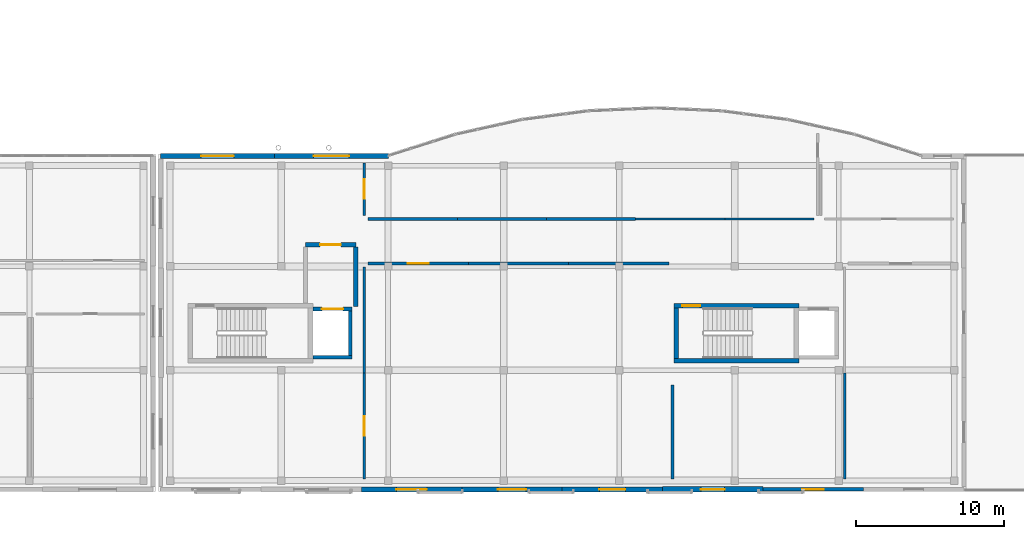
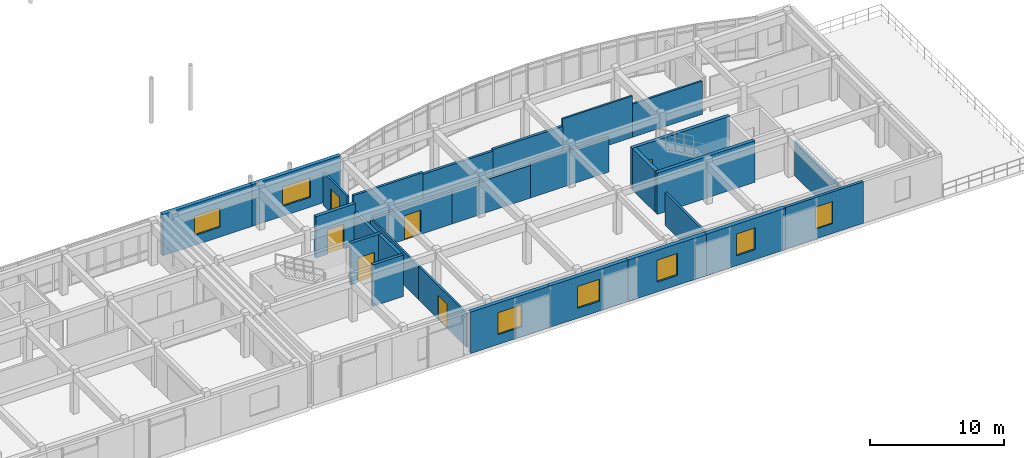
# One storey, part 79 of 91: 28 walls, 7 windows, 6 doors, 13 openings.
"""IFC4 building model written with IfcOpenShell, lengths in metres."""

from ifc_helpers import new_model, si_unit, direction, frame, frame_2d, origin, place, context, subcontext, project, spatial, rectangle, extrude, material, layer, layer_set, type_object, element, fill, save


model = new_model("IFC4")

# Units and contexts
model_context = context("Model", 3, precision=1e-05, world=origin(), true_north=direction((0.0, 1.0)))
body_context = subcontext(model_context, "Body", "Model", "MODEL_VIEW")
ifc_project = project(units=[si_unit("LENGTHUNIT", "METRE"), si_unit("AREAUNIT", "SQUARE_METRE"), si_unit("VOLUMEUNIT", "CUBIC_METRE"), si_unit("PLANEANGLEUNIT", "RADIAN"), si_unit("MASSUNIT", "GRAM", prefix="KILO")], contexts=[model_context])

# Site, building, storey
site_placement = place(None, origin())
site = spatial("IfcSite", under=ifc_project, at=site_placement, CompositionType="ELEMENT")
building_placement = place(site_placement, origin())
building = spatial("IfcBuilding", under=site, at=building_placement, Name="Valcora Specialist Clinic", CompositionType="ELEMENT")
storey_placement = place(building_placement, frame((0.0, 0.0, 13.60009765625)))
storey = spatial("IfcBuildingStorey", under=building, at=storey_placement, Name="L03", CompositionType="ELEMENT", Elevation=13.60009765625)

# Wall, opening, door
ifc_material_1 = material(Name="Concrete C40/50", Category="concrete")
ifc_layer_1 = layer(ifc_material_1, 0.284912109375)
ifc_layer_set_1 = layer_set([ifc_layer_1], Name="Concrete C40/50")
wall_type_1 = type_object("IfcWallType", Name="TY-WL-CR285", PredefinedType="SHEAR", material=ifc_layer_set_1)
wall_1_placement = place(storey_placement, frame((63.419921875, 16.659912109375, 0.0), z_axis=(0.0, 0.0, 1.0), x_axis=(1.0, 0.0, 0.0)))
wall_1 = element("IfcWall", 1, at=wall_1_placement, inside=storey, type_object=wall_type_1, Name="Firefighting lobby front wall WL-FFL-LF-07-L03-F", PredefinedType="SHEAR", context=body_context, shape_type="SweptSolid", body=[
    extrude(rectangle(XDim=3.400146484375, YDim=0.284912109375, at=frame_2d((1.7001953125, 0.0))), origin(), (0.0, 0.0, 1.0), 3.77978515625),
])
opening_1_placement = place(wall_1_placement, frame((1.0, 0.0, 0.0)))
opening_1 = element("IfcOpeningElement", 2, at=opening_1_placement, cuts=wall_1, Name="Opening DR-FF-140", PredefinedType="OPENING", context=body_context, shape_type="SweptSolid", body=[
    extrude(rectangle(XDim=1.39990234375, YDim=2.25, at=frame_2d((0.699951171875, 1.125))), frame((0.0, 0.15234375, 0.0), z_axis=(0.0, -1.0, 0.0), x_axis=(1.0, 0.0, 0.0)), (0.0, 0.0, 1.0), 0.304931640625),
])
ifc_material_2 = material(Name="Galvanized Hollow Metal Door Steel ASTM A653", Category="steel")
door_type_1 = type_object("IfcDoorType", Name="TY-DR-FF140", OperationType="NOTDEFINED", PredefinedType="DOOR", material=ifc_material_2)
door_1_placement = place(opening_1_placement, origin())
door_1 = element("IfcDoor", 3, at=door_1_placement, inside=storey, type_object=door_type_1, Name="Firefighting lobby fire door LF-07 L03", OperationType="SINGLE_SWING_RIGHT", OverallHeight=2.25, OverallWidth=1.39990234375, PredefinedType="DOOR", context=body_context, shape_type="SweptSolid", body=[
    extrude(rectangle(XDim=1.39990234375, YDim=2.25, at=frame_2d((0.699951171875, 1.125))), frame((0.0, 0.02490234375, 0.0), z_axis=(0.0, -1.0, 0.0), x_axis=(1.0, 0.0, 0.0)), (0.0, 0.0, 1.0), 0.050048828125),
])
fill(opening_1, door_1)

# Walls
wall_2_placement = place(storey_placement, frame((66.820068359375, 12.47998046875, 0.0), z_axis=(0.0, 0.0, 1.0), x_axis=(0.0, 1.0, 0.0)))
element("IfcWall", 4, at=wall_2_placement, inside=storey, type_object=wall_type_1, Name="Firefighting lobby east wall", PredefinedType="SHEAR", context=body_context, shape_type="SweptSolid", body=[
    extrude(rectangle(XDim=4.030029296875, YDim=0.284912109375, at=frame_2d((2.01513671875, 0.0))), origin(), (0.0, 0.0, 1.0), 3.02978515625),
])
ifc_layer_2 = layer(ifc_material_1, 0.300048828125)
ifc_layer_set_2 = layer_set([ifc_layer_2], Name="Concrete C40/50")
wall_type_2 = type_object("IfcWallType", Name="TY-WL-CR300", PredefinedType="SHEAR", material=ifc_layer_set_2)
wall_3_placement = place(storey_placement, frame((88.300048828125, 8.85009765625, 0.0), z_axis=(0.0, 0.0, 1.0), x_axis=(1.0, 0.0, 0.0)))
element("IfcWall", 5, at=wall_3_placement, inside=storey, type_object=wall_type_2, Name="Core shear wall WL-CR-C-V6B-L03-S", PredefinedType="SHEAR", context=body_context, shape_type="SweptSolid", body=[
    extrude(rectangle(XDim=8.419921875, YDim=0.300048828125, at=frame_2d((4.2099609375, 0.0))), origin(), (0.0, 0.0, 1.0), 3.77978515625),
])

# Wall, opening, door
wall_4_placement = place(storey_placement, frame((88.300048828125, 12.550048828125, 0.0), z_axis=(0.0, 0.0, 1.0), x_axis=(1.0, 0.0, 0.0)))
wall_4 = element("IfcWall", 6, at=wall_4_placement, inside=storey, type_object=wall_type_2, Name="Core shear wall WL-CR-C-V6B-L03-N", PredefinedType="SHEAR", context=body_context, shape_type="SweptSolid", body=[
    extrude(rectangle(XDim=8.419921875, YDim=0.300048828125, at=frame_2d((4.2099609375, 0.0))), origin(), (0.0, 0.0, 1.0), 3.77978515625),
])
opening_2_placement = place(wall_4_placement, frame((0.550048828125, 0.0, 0.0)))
opening_2 = element("IfcOpeningElement", 7, at=opening_2_placement, cuts=wall_4, Name="Opening DR-FD-120", PredefinedType="OPENING", context=body_context, shape_type="SweptSolid", body=[
    extrude(rectangle(XDim=1.199951171875, YDim=2.199951171875, at=frame_2d((0.60009765625, 1.10009765625))), frame((0.0, 0.159912109375, 0.0), z_axis=(0.0, -1.0, 0.0), x_axis=(1.0, 0.0, 0.0)), (0.0, 0.0, 1.0), 0.320068359375),
])
door_type_2 = type_object("IfcDoorType", Name="TY-DR-ST120", OperationType="NOTDEFINED", PredefinedType="DOOR", material=ifc_material_2)
door_2_placement = place(opening_2_placement, origin())
door_2 = element("IfcDoor", 8, at=door_2_placement, inside=storey, type_object=door_type_2, Name="Exit stair fire door C-V6B L03", OperationType="SINGLE_SWING_LEFT", OverallHeight=2.199951171875, OverallWidth=1.199951171875, PredefinedType="DOOR", context=body_context, shape_type="SweptSolid", body=[
    extrude(rectangle(XDim=1.199951171875, YDim=2.199951171875, at=frame_2d((0.60009765625, 1.10009765625))), frame((0.0, 0.02490234375, 0.0), z_axis=(0.0, -1.0, 0.0), x_axis=(1.0, 0.0, 0.0)), (0.0, 0.0, 1.0), 0.050048828125),
])
fill(opening_2, door_2)

# Wall
wall_5_placement = place(storey_placement, frame((88.449951171875, 9.001953125, 0.0), z_axis=(0.0, 0.0, 1.0), x_axis=(0.0, 1.0, 0.0)))
element("IfcWall", 9, at=wall_5_placement, inside=storey, type_object=wall_type_2, Name="Core shear wall WL-CR-C-V6B-L03-W", PredefinedType="SHEAR", context=body_context, shape_type="SweptSolid", body=[
    extrude(rectangle(XDim=3.39599609375, YDim=0.300048828125, at=frame_2d((1.697998046875, 0.0))), origin(), (0.0, 0.0, 1.0), 3.77978515625),
])

# Wall, opening, window
ifc_material_3 = material(Name="Extruded Jalisco Clay Brick Masonry", Category="masonry")
ifc_layer_3 = layer(ifc_material_3, 0.235107421875)
ifc_layer_set_3 = layer_set([ifc_layer_3], Name="Extruded Jalisco Clay Brick Masonry")
wall_type_3 = type_object("IfcWallType", Name="TY-WL-EW235", PredefinedType="SOLIDWALL", material=ifc_layer_set_3)
wall_6_placement = place(storey_placement, frame((101.074951171875, 0.14990234375, 0.0), z_axis=(0.0, 0.0, 1.0), x_axis=(-1.0, 0.0, 0.0)))
wall_6 = element("IfcWall", 10, at=wall_6_placement, inside=storey, type_object=wall_type_3, Name="Exterior wall WL-EXT-L03-0370", PredefinedType="SOLIDWALL", context=body_context, shape_type="SweptSolid", body=[
    extrude(rectangle(XDim=6.77490234375, YDim=0.235107421875, at=frame_2d((3.387451171875, 0.0))), origin(), (0.0, 0.0, 1.0), 3.77978515625),
])
opening_3_placement = place(wall_6_placement, frame((2.6630859375, 0.0, 0.89990234375)))
opening_3 = element("IfcOpeningElement", 11, at=opening_3_placement, cuts=wall_6, Name="Opening WN-23", PredefinedType="OPENING", context=body_context, shape_type="SweptSolid", body=[
    extrude(rectangle(XDim=1.449951171875, YDim=2.0, at=frame_2d((0.72509765625, 1.0))), frame((0.0, 0.12744140625, 0.0), z_axis=(0.0, -1.0, 0.0), x_axis=(1.0, 0.0, 0.0)), (0.0, 0.0, 1.0), 0.255126953125),
])
ifc_material_4 = material(Name="Low-E Laminated Insulating Glass", Category="glass")
window_type_1 = type_object("IfcWindowType", Name="TY-WN-23", PartitioningType="SINGLE_PANEL", PredefinedType="WINDOW", material=ifc_material_4)
window_1_placement = place(opening_3_placement, origin())
window_1 = element("IfcWindow", 12, at=window_1_placement, inside=storey, type_object=window_type_1, Name="Facade window WN-L03-0317", OverallHeight=2.0, OverallWidth=1.449951171875, PartitioningType="SINGLE_PANEL", PredefinedType="WINDOW", context=body_context, shape_type="SweptSolid", body=[
    extrude(rectangle(XDim=1.449951171875, YDim=2.0, at=frame_2d((0.72509765625, 1.0))), frame((0.0, 0.030029296875, 0.0), z_axis=(0.0, -1.0, 0.0), x_axis=(1.0, 0.0, 0.0)), (0.0, 0.0, 1.0), 0.06005859375),
])
fill(opening_3, window_1)

ifc_layer_4 = layer(ifc_material_3, 0.324951171875)
ifc_layer_set_4 = layer_set([ifc_layer_4], Name="Extruded Jalisco Clay Brick Masonry")
wall_type_4 = type_object("IfcWallType", Name="TY-WL-EW325", PredefinedType="SOLIDWALL", material=ifc_layer_set_4)
wall_7_placement = place(storey_placement, frame((61.336669921875, 22.64990234375, 0.0), z_axis=(0.0, 0.0, 1.0), x_axis=(1.0, 0.0, 0.0)))
wall_7 = element("IfcWall", 13, at=wall_7_placement, inside=storey, type_object=wall_type_4, Name="Exterior wall WL-EXT-L03-0364", PredefinedType="SOLIDWALL", context=body_context, shape_type="SweptSolid", body=[
    extrude(rectangle(XDim=7.6865234375, YDim=0.324951171875, at=frame_2d((3.84326171875, 0.0))), origin(), (0.0, 0.0, 1.0), 3.77978515625),
])
opening_4_placement = place(wall_7_placement, frame((2.64306640625, 0.0, 0.89990234375)))
opening_4 = element("IfcOpeningElement", 14, at=opening_4_placement, cuts=wall_7, Name="Opening WN-20", PredefinedType="OPENING", context=body_context, shape_type="SweptSolid", body=[
    extrude(rectangle(XDim=2.39990234375, YDim=1.75, at=frame_2d((1.199951171875, 0.875))), frame((0.0, 0.17236328125, 0.0), z_axis=(0.0, -1.0, 0.0), x_axis=(1.0, 0.0, 0.0)), (0.0, 0.0, 1.0), 0.344970703125),
])
window_type_2 = type_object("IfcWindowType", Name="TY-WN-20", PartitioningType="SINGLE_PANEL", PredefinedType="WINDOW", material=ifc_material_4)
window_2_placement = place(opening_4_placement, origin())
window_2 = element("IfcWindow", 15, at=window_2_placement, inside=storey, type_object=window_type_2, Name="Facade window WN-L03-0314", OverallHeight=1.75, OverallWidth=2.39990234375, PartitioningType="SINGLE_PANEL", PredefinedType="WINDOW", context=body_context, shape_type="SweptSolid", body=[
    extrude(rectangle(XDim=2.39990234375, YDim=1.75, at=frame_2d((1.199951171875, 0.875))), frame((0.0, 0.030029296875, 0.0), z_axis=(0.0, -1.0, 0.0), x_axis=(1.0, 0.0, 0.0)), (0.0, 0.0, 1.0), 0.06005859375),
])
fill(opening_4, window_2)

wall_8_placement = place(storey_placement, frame((73.97509765625, 0.14990234375, 0.0), z_axis=(0.0, 0.0, 1.0), x_axis=(-1.0, 0.0, 0.0)))
wall_8 = element("IfcWall", 16, at=wall_8_placement, inside=storey, type_object=wall_type_4, Name="Exterior wall WL-EXT-L03-0374", PredefinedType="SOLIDWALL", context=body_context, shape_type="SweptSolid", body=[
    extrude(rectangle(XDim=6.775146484375, YDim=0.324951171875, at=frame_2d((3.3876953125, 0.0))), origin(), (0.0, 0.0, 1.0), 3.77978515625),
])
opening_5_placement = place(wall_8_placement, frame((2.362060546875, 0.0, 0.89990234375)))
opening_5 = element("IfcOpeningElement", 17, at=opening_5_placement, cuts=wall_8, Name="Opening WN-27", PredefinedType="OPENING", context=body_context, shape_type="SweptSolid", body=[
    extrude(rectangle(XDim=2.050048828125, YDim=2.0, at=frame_2d((1.02490234375, 1.0))), frame((0.0, 0.17236328125, 0.0), z_axis=(0.0, -1.0, 0.0), x_axis=(1.0, 0.0, 0.0)), (0.0, 0.0, 1.0), 0.344970703125),
])
window_type_3 = type_object("IfcWindowType", Name="TY-WN-27", PartitioningType="SINGLE_PANEL", PredefinedType="WINDOW", material=ifc_material_4)
window_3_placement = place(opening_5_placement, origin())
window_3 = element("IfcWindow", 18, at=window_3_placement, inside=storey, type_object=window_type_3, Name="Facade window WN-L03-0321", OverallHeight=2.0, OverallWidth=2.050048828125, PartitioningType="SINGLE_PANEL", PredefinedType="WINDOW", context=body_context, shape_type="SweptSolid", body=[
    extrude(rectangle(XDim=2.050048828125, YDim=2.0, at=frame_2d((1.02490234375, 1.0))), frame((0.0, 0.030029296875, 0.0), z_axis=(0.0, -1.0, 0.0), x_axis=(1.0, 0.0, 0.0)), (0.0, 0.0, 1.0), 0.06005859375),
])
fill(opening_5, window_3)

ifc_layer_5 = layer(ifc_material_3, 0.340087890625)
ifc_layer_set_5 = layer_set([ifc_layer_5], Name="Extruded Jalisco Clay Brick Masonry")
wall_type_5 = type_object("IfcWallType", Name="TY-WL-EW340", PredefinedType="SOLIDWALL", material=ifc_layer_set_5)
wall_9_placement = place(storey_placement, frame((53.64990234375, 22.64990234375, 0.0), z_axis=(0.0, 0.0, 1.0), x_axis=(1.0, 0.0, 0.0)))
wall_9 = element("IfcWall", 19, at=wall_9_placement, inside=storey, type_object=wall_type_5, Name="Exterior wall WL-EXT-L03-0363", PredefinedType="SOLIDWALL", context=body_context, shape_type="SweptSolid", body=[
    extrude(rectangle(XDim=7.686767578125, YDim=0.340087890625, at=frame_2d((3.84326171875, 0.0))), origin(), (0.0, 0.0, 1.0), 3.77978515625),
])
opening_6_placement = place(wall_9_placement, frame((2.742919921875, 0.0, 0.89990234375)))
opening_6 = element("IfcOpeningElement", 20, at=opening_6_placement, cuts=wall_9, Name="Opening WN-19", PredefinedType="OPENING", context=body_context, shape_type="SweptSolid", body=[
    extrude(rectangle(XDim=2.199951171875, YDim=1.75, at=frame_2d((1.10009765625, 0.875))), frame((0.0, 0.179931640625, 0.0), z_axis=(0.0, -1.0, 0.0), x_axis=(1.0, 0.0, 0.0)), (0.0, 0.0, 1.0), 0.360107421875),
])
window_type_4 = type_object("IfcWindowType", Name="TY-WN-19", PartitioningType="SINGLE_PANEL", PredefinedType="WINDOW", material=ifc_material_4)
window_4_placement = place(opening_6_placement, origin())
window_4 = element("IfcWindow", 21, at=window_4_placement, inside=storey, type_object=window_type_4, Name="Facade window WN-L03-0313", OverallHeight=1.75, OverallWidth=2.199951171875, PartitioningType="SINGLE_PANEL", PredefinedType="WINDOW", context=body_context, shape_type="SweptSolid", body=[
    extrude(rectangle(XDim=2.199951171875, YDim=1.75, at=frame_2d((1.10009765625, 0.875))), frame((0.0, 0.030029296875, 0.0), z_axis=(0.0, -1.0, 0.0), x_axis=(1.0, 0.0, 0.0)), (0.0, 0.0, 1.0), 0.06005859375),
])
fill(opening_6, window_4)

wall_10_placement = place(storey_placement, frame((80.75, 0.14990234375, 0.0), z_axis=(0.0, 0.0, 1.0), x_axis=(-1.0, 0.0, 0.0)))
wall_10 = element("IfcWall", 22, at=wall_10_placement, inside=storey, type_object=wall_type_5, Name="Exterior wall WL-EXT-L03-0373", PredefinedType="SOLIDWALL", context=body_context, shape_type="SweptSolid", body=[
    extrude(rectangle(XDim=6.77490234375, YDim=0.340087890625, at=frame_2d((3.387451171875, 0.0))), origin(), (0.0, 0.0, 1.0), 3.77978515625),
])
opening_7_placement = place(wall_10_placement, frame((2.43798828125, 0.0, 0.89990234375)))
opening_7 = element("IfcOpeningElement", 23, at=opening_7_placement, cuts=wall_10, Name="Opening WN-26", PredefinedType="OPENING", context=body_context, shape_type="SweptSolid", body=[
    extrude(rectangle(XDim=1.89990234375, YDim=2.0, at=frame_2d((0.949951171875, 1.0))), frame((0.0, 0.179931640625, 0.0), z_axis=(0.0, -1.0, 0.0), x_axis=(1.0, 0.0, 0.0)), (0.0, 0.0, 1.0), 0.360107421875),
])
window_type_5 = type_object("IfcWindowType", Name="TY-WN-26", PartitioningType="SINGLE_PANEL", PredefinedType="WINDOW", material=ifc_material_4)
window_5_placement = place(opening_7_placement, origin())
window_5 = element("IfcWindow", 24, at=window_5_placement, inside=storey, type_object=window_type_5, Name="Facade window WN-L03-0320", OverallHeight=2.0, OverallWidth=1.89990234375, PartitioningType="SINGLE_PANEL", PredefinedType="WINDOW", context=body_context, shape_type="SweptSolid", body=[
    extrude(rectangle(XDim=1.89990234375, YDim=2.0, at=frame_2d((0.949951171875, 1.0))), frame((0.0, 0.030029296875, 0.0), z_axis=(0.0, -1.0, 0.0), x_axis=(1.0, 0.0, 0.0)), (0.0, 0.0, 1.0), 0.06005859375),
])
fill(opening_7, window_5)

ifc_layer_6 = layer(ifc_material_3, 0.35498046875)
ifc_layer_set_6 = layer_set([ifc_layer_6], Name="Extruded Jalisco Clay Brick Masonry")
wall_type_6 = type_object("IfcWallType", Name="TY-WL-EW355", PredefinedType="SOLIDWALL", material=ifc_layer_set_6)
wall_11_placement = place(storey_placement, frame((87.52490234375, 0.14990234375, 0.0), z_axis=(0.0, 0.0, 1.0), x_axis=(-1.0, 0.0, 0.0)))
wall_11 = element("IfcWall", 25, at=wall_11_placement, inside=storey, type_object=wall_type_6, Name="Exterior wall WL-EXT-L03-0372", PredefinedType="SOLIDWALL", context=body_context, shape_type="SweptSolid", body=[
    extrude(rectangle(XDim=6.77490234375, YDim=0.35498046875, at=frame_2d((3.387451171875, 0.0))), origin(), (0.0, 0.0, 1.0), 3.77978515625),
])
opening_8_placement = place(wall_11_placement, frame((2.512939453125, 0.0, 0.89990234375)))
opening_8 = element("IfcOpeningElement", 26, at=opening_8_placement, cuts=wall_11, Name="Opening WN-25", PredefinedType="OPENING", context=body_context, shape_type="SweptSolid", body=[
    extrude(rectangle(XDim=1.75, YDim=2.0, at=frame_2d((0.875, 1.0))), frame((0.0, 0.1875, 0.0), z_axis=(0.0, -1.0, 0.0), x_axis=(1.0, 0.0, 0.0)), (0.0, 0.0, 1.0), 0.375),
])
window_type_6 = type_object("IfcWindowType", Name="TY-WN-25", PartitioningType="SINGLE_PANEL", PredefinedType="WINDOW", material=ifc_material_4)
window_6_placement = place(opening_8_placement, origin())
window_6 = element("IfcWindow", 27, at=window_6_placement, inside=storey, type_object=window_type_6, Name="Facade window WN-L03-0319", OverallHeight=2.0, OverallWidth=1.75, PartitioningType="SINGLE_PANEL", PredefinedType="WINDOW", context=body_context, shape_type="SweptSolid", body=[
    extrude(rectangle(XDim=1.75, YDim=2.0, at=frame_2d((0.875, 1.0))), frame((0.0, 0.030029296875, 0.0), z_axis=(0.0, -1.0, 0.0), x_axis=(1.0, 0.0, 0.0)), (0.0, 0.0, 1.0), 0.06005859375),
])
fill(opening_8, window_6)

ifc_layer_7 = layer(ifc_material_3, 0.3701171875)
ifc_layer_set_7 = layer_set([ifc_layer_7], Name="Extruded Jalisco Clay Brick Masonry")
wall_type_7 = type_object("IfcWallType", Name="TY-WL-EW370", PredefinedType="SOLIDWALL", material=ifc_layer_set_7)
wall_12_placement = place(storey_placement, frame((94.300048828125, 0.14990234375, 0.0), z_axis=(0.0, 0.0, 1.0), x_axis=(-1.0, 0.0, 0.0)))
wall_12 = element("IfcWall", 28, at=wall_12_placement, inside=storey, type_object=wall_type_7, Name="Exterior wall WL-EXT-L03-0371", PredefinedType="SOLIDWALL", context=body_context, shape_type="SweptSolid", body=[
    extrude(rectangle(XDim=6.775146484375, YDim=0.3701171875, at=frame_2d((3.3876953125, 0.0))), origin(), (0.0, 0.0, 1.0), 3.77978515625),
])
opening_9_placement = place(wall_12_placement, frame((2.5869140625, 0.0, 0.89990234375)))
opening_9 = element("IfcOpeningElement", 29, at=opening_9_placement, cuts=wall_12, Name="Opening WN-24", PredefinedType="OPENING", context=body_context, shape_type="SweptSolid", body=[
    extrude(rectangle(XDim=1.60009765625, YDim=2.0, at=frame_2d((0.800048828125, 1.0))), frame((0.0, 0.195068359375, 0.0), z_axis=(0.0, -1.0, 0.0), x_axis=(1.0, 0.0, 0.0)), (0.0, 0.0, 1.0), 0.39013671875),
])
window_type_7 = type_object("IfcWindowType", Name="TY-WN-24", PartitioningType="SINGLE_PANEL", PredefinedType="WINDOW", material=ifc_material_4)
window_7_placement = place(opening_9_placement, origin())
window_7 = element("IfcWindow", 30, at=window_7_placement, inside=storey, type_object=window_type_7, Name="Facade window WN-L03-0318", OverallHeight=2.0, OverallWidth=1.60009765625, PartitioningType="SINGLE_PANEL", PredefinedType="WINDOW", context=body_context, shape_type="SweptSolid", body=[
    extrude(rectangle(XDim=1.60009765625, YDim=2.0, at=frame_2d((0.800048828125, 1.0))), frame((0.0, 0.030029296875, 0.0), z_axis=(0.0, -1.0, 0.0), x_axis=(1.0, 0.0, 0.0)), (0.0, 0.0, 1.0), 0.06005859375),
])
fill(opening_9, window_7)

# Walls
ifc_material_5 = material(Name="Gypsum Board Partition Assembly")
ifc_layer_8 = layer(ifc_material_5, 0.155029296875)
ifc_layer_set_8 = layer_set([ifc_layer_8], Name="Gypsum Board Partition Assembly")
wall_type_8 = type_object("IfcWallType", Name="TY-WL-PT155", PredefinedType="PARTITIONING", material=ifc_layer_set_8)
wall_13_placement = place(storey_placement, frame((67.39990234375, 8.0, 0.0), z_axis=(0.0, 0.0, 1.0), x_axis=(0.0, 1.0, 0.0)))
element("IfcWall", 31, at=wall_13_placement, inside=storey, type_object=wall_type_8, Name="Interior partition WL-INT-L03-0439", PredefinedType="PARTITIONING", context=body_context, shape_type="SweptSolid", body=[
    extrude(rectangle(XDim=7.14990234375, YDim=0.155029296875, at=frame_2d((3.574951171875, 0.0))), origin(), (0.0, 0.0, 1.0), 3.02978515625),
])
wall_14_placement = place(storey_placement, frame((91.72998046875, 18.39990234375, 0.0), z_axis=(0.0, 0.0, 1.0), x_axis=(-1.0, 0.0, 0.0)))
element("IfcWall", 32, at=wall_14_placement, inside=storey, type_object=wall_type_8, Name="Interior partition WL-INT-L03-0447", PredefinedType="PARTITIONING", context=body_context, shape_type="SweptSolid", body=[
    extrude(rectangle(XDim=6.02001953125, YDim=0.155029296875, at=frame_2d((3.010009765625, 0.0))), origin(), (0.0, 0.0, 1.0), 3.77978515625),
])

# Wall, opening, door
ifc_layer_9 = layer(ifc_material_5, 0.1650390625)
ifc_layer_set_9 = layer_set([ifc_layer_9], Name="Gypsum Board Partition Assembly")
wall_type_9 = type_object("IfcWallType", Name="TY-WL-PT165", PredefinedType="PARTITIONING", material=ifc_layer_set_9)
wall_15_placement = place(storey_placement, frame((67.39990234375, 0.85009765625, 0.0), z_axis=(0.0, 0.0, 1.0), x_axis=(0.0, 1.0, 0.0)))
wall_15 = element("IfcWall", 33, at=wall_15_placement, inside=storey, type_object=wall_type_9, Name="Interior partition WL-INT-L03-0438", PredefinedType="PARTITIONING", context=body_context, shape_type="SweptSolid", body=[
    extrude(rectangle(XDim=7.14990234375, YDim=0.1650390625, at=frame_2d((3.574951171875, 0.0))), origin(), (0.0, 0.0, 1.0), 3.079833984375),
])
opening_10_placement = place(wall_15_placement, frame((2.9150390625, 0.0, 0.0)))
opening_10 = element("IfcOpeningElement", 34, at=opening_10_placement, cuts=wall_15, Name="Opening DR-LB-132", PredefinedType="OPENING", context=body_context, shape_type="SweptSolid", body=[
    extrude(rectangle(XDim=1.320068359375, YDim=2.199951171875, at=frame_2d((0.66015625, 1.10009765625))), frame((0.0, 0.092529296875, 0.0), z_axis=(0.0, -1.0, 0.0), x_axis=(1.0, 0.0, 0.0)), (0.0, 0.0, 1.0), 0.18505859375),
])
ifc_material_6 = material(Name="Anodized Bronze Aluminium 6063-T6", Category="aluminium")
door_type_3 = type_object("IfcDoorType", Name="TY-DR-LB132", OperationType="NOTDEFINED", PredefinedType="DOOR", material=ifc_material_6)
door_3_placement = place(opening_10_placement, origin())
door_3 = element("IfcDoor", 35, at=door_3_placement, inside=storey, type_object=door_type_3, Name="Interior door DR-INT-L03-0122", OperationType="SINGLE_SWING_RIGHT", OverallHeight=2.199951171875, OverallWidth=1.320068359375, PredefinedType="DOOR", context=body_context, shape_type="SweptSolid", body=[
    extrude(rectangle(XDim=1.320068359375, YDim=2.199951171875, at=frame_2d((0.66015625, 1.10009765625))), frame((0.0, 0.02490234375, 0.0), z_axis=(0.0, -1.0, 0.0), x_axis=(1.0, 0.0, 0.0)), (0.0, 0.0, 1.0), 0.050048828125),
])
fill(opening_10, door_3)

# Walls
wall_16_placement = place(storey_placement, frame((97.75, 18.39990234375, 0.0), z_axis=(0.0, 0.0, 1.0), x_axis=(-1.0, 0.0, 0.0)))
element("IfcWall", 36, at=wall_16_placement, inside=storey, type_object=wall_type_9, Name="Interior partition WL-INT-L03-0446", PredefinedType="PARTITIONING", context=body_context, shape_type="SweptSolid", body=[
    extrude(rectangle(XDim=6.02001953125, YDim=0.1650390625, at=frame_2d((3.010009765625, 0.0))), origin(), (0.0, 0.0, 1.0), 3.02978515625),
])
wall_17_placement = place(storey_placement, frame((99.800048828125, 0.85009765625, 0.0), z_axis=(0.0, 0.0, 1.0), x_axis=(0.0, 1.0, 0.0)))
element("IfcWall", 37, at=wall_17_placement, inside=storey, type_object=wall_type_9, Name="Interior partition WL-INT-L03-0454", PredefinedType="PARTITIONING", context=body_context, shape_type="SweptSolid", body=[
    extrude(rectangle(XDim=7.14990234375, YDim=0.1650390625, at=frame_2d((3.574951171875, 0.0))), origin(), (0.0, 0.0, 1.0), 3.1298828125),
])

# Wall, opening, door
ifc_layer_10 = layer(ifc_material_5, 0.18505859375)
ifc_layer_set_10 = layer_set([ifc_layer_10], Name="Gypsum Board Partition Assembly")
wall_type_10 = type_object("IfcWallType", Name="TY-WL-PT185", PredefinedType="PARTITIONING", material=ifc_layer_set_10)
wall_18_placement = place(storey_placement, frame((67.39990234375, 18.64990234375, 0.0), z_axis=(0.0, 0.0, 1.0), x_axis=(0.0, 1.0, 0.0)))
wall_18 = element("IfcWall", 38, at=wall_18_placement, inside=storey, type_object=wall_type_10, Name="Interior partition WL-INT-L03-0444", PredefinedType="PARTITIONING", context=body_context, shape_type="SweptSolid", body=[
    extrude(rectangle(XDim=3.5400390625, YDim=0.18505859375, at=frame_2d((1.77001953125, 0.0))), origin(), (0.0, 0.0, 1.0), 2.97998046875),
])
opening_11_placement = place(wall_18_placement, frame((1.110107421875, 0.0, 0.0)))
opening_11 = element("IfcOpeningElement", 39, at=opening_11_placement, cuts=wall_18, Name="Opening DR-LB-132", PredefinedType="OPENING", context=body_context, shape_type="SweptSolid", body=[
    extrude(rectangle(XDim=1.320068359375, YDim=2.199951171875, at=frame_2d((0.66015625, 1.10009765625))), frame((0.0, 0.1025390625, 0.0), z_axis=(0.0, -1.0, 0.0), x_axis=(1.0, 0.0, 0.0)), (0.0, 0.0, 1.0), 0.205078125),
])
door_4_placement = place(opening_11_placement, origin())
door_4 = element("IfcDoor", 40, at=door_4_placement, inside=storey, type_object=door_type_3, Name="Interior door DR-INT-L03-0124", OperationType="SINGLE_SWING_RIGHT", OverallHeight=2.199951171875, OverallWidth=1.320068359375, PredefinedType="DOOR", context=body_context, shape_type="SweptSolid", body=[
    extrude(rectangle(XDim=1.320068359375, YDim=2.199951171875, at=frame_2d((0.66015625, 1.10009765625))), frame((0.0, 0.02490234375, 0.0), z_axis=(0.0, -1.0, 0.0), x_axis=(1.0, 0.0, 0.0)), (0.0, 0.0, 1.0), 0.050048828125),
])
fill(opening_11, door_4)

# Walls
ifc_layer_11 = layer(ifc_material_5, 0.195068359375)
ifc_layer_set_11 = layer_set([ifc_layer_11], Name="Gypsum Board Partition Assembly")
wall_type_11 = type_object("IfcWallType", Name="TY-WL-PT195", PredefinedType="PARTITIONING", material=ifc_layer_set_11)
wall_19_placement = place(storey_placement, frame((88.199951171875, 7.199951171875, 0.0), z_axis=(0.0, 0.0, 1.0), x_axis=(0.0, -1.0, 0.0)))
element("IfcWall", 41, at=wall_19_placement, inside=storey, type_object=wall_type_11, Name="Interior partition WL-INT-L03-0443", PredefinedType="PARTITIONING", context=body_context, shape_type="SweptSolid", body=[
    extrude(rectangle(XDim=6.349853515625, YDim=0.195068359375, at=frame_2d((3.1748046875, 0.0))), origin(), (0.0, 0.0, 1.0), 2.97998046875),
])
ifc_material_7 = material(Name="Lead-Lined Gypsum Partition Assembly")
ifc_layer_12 = layer(ifc_material_7, 0.205078125)
ifc_layer_set_12 = layer_set([ifc_layer_12], Name="Lead-Lined Gypsum Partition Assembly")
wall_type_12 = type_object("IfcWallType", Name="TY-WL-PT205", PredefinedType="PARTITIONING", material=ifc_layer_set_12)
wall_20_placement = place(storey_placement, frame((81.18310546875, 15.39990234375, 0.0), z_axis=(0.0, 0.0, 1.0), x_axis=(1.0, 0.0, 0.0)))
element("IfcWall", 42, at=wall_20_placement, inside=storey, type_object=wall_type_12, Name="Interior partition WL-INT-L03-0442", PredefinedType="PARTITIONING", context=body_context, shape_type="SweptSolid", body=[
    extrude(rectangle(XDim=6.766845703125, YDim=0.205078125, at=frame_2d((3.38330078125, 0.0))), origin(), (0.0, 0.0, 1.0), 3.1298828125),
])
wall_21_placement = place(storey_placement, frame((73.669921875, 18.39990234375, 0.0), z_axis=(0.0, 0.0, 1.0), x_axis=(-1.0, 0.0, 0.0)))
element("IfcWall", 43, at=wall_21_placement, inside=storey, type_object=wall_type_12, Name="Interior partition WL-INT-L03-0450", PredefinedType="PARTITIONING", context=body_context, shape_type="SweptSolid", body=[
    extrude(rectangle(XDim=6.02001953125, YDim=0.205078125, at=frame_2d((3.010009765625, 0.0))), origin(), (0.0, 0.0, 1.0), 3.1298828125),
])
ifc_layer_13 = layer(ifc_material_7, 0.215087890625)
ifc_layer_set_13 = layer_set([ifc_layer_13], Name="Lead-Lined Gypsum Partition Assembly")
wall_type_13 = type_object("IfcWallType", Name="TY-WL-PT215", PredefinedType="PARTITIONING", material=ifc_layer_set_13)
wall_22_placement = place(storey_placement, frame((74.4169921875, 15.39990234375, 0.0), z_axis=(0.0, 0.0, 1.0), x_axis=(1.0, 0.0, 0.0)))
element("IfcWall", 44, at=wall_22_placement, inside=storey, type_object=wall_type_13, Name="Interior partition WL-INT-L03-0441", PredefinedType="PARTITIONING", context=body_context, shape_type="SweptSolid", body=[
    extrude(rectangle(XDim=6.76611328125, YDim=0.215087890625, at=frame_2d((3.383056640625, 0.0))), origin(), (0.0, 0.0, 1.0), 2.97998046875),
])
wall_23_placement = place(storey_placement, frame((79.68994140625, 18.39990234375, 0.0), z_axis=(0.0, 0.0, 1.0), x_axis=(-1.0, 0.0, 0.0)))
element("IfcWall", 45, at=wall_23_placement, inside=storey, type_object=wall_type_13, Name="Interior partition WL-INT-L03-0449", PredefinedType="PARTITIONING", context=body_context, shape_type="SweptSolid", body=[
    extrude(rectangle(XDim=6.02001953125, YDim=0.215087890625, at=frame_2d((3.010009765625, 0.0))), origin(), (0.0, 0.0, 1.0), 2.97998046875),
])

# Wall, opening, door
ifc_layer_14 = layer(ifc_material_7, 0.22998046875)
ifc_layer_set_14 = layer_set([ifc_layer_14], Name="Lead-Lined Gypsum Partition Assembly")
wall_type_14 = type_object("IfcWallType", Name="TY-WL-PT230", PredefinedType="PARTITIONING", material=ifc_layer_set_14)
wall_24_placement = place(storey_placement, frame((67.64990234375, 15.39990234375, 0.0), z_axis=(0.0, 0.0, 1.0), x_axis=(1.0, 0.0, 0.0)))
wall_24 = element("IfcWall", 46, at=wall_24_placement, inside=storey, type_object=wall_type_14, Name="Interior partition WL-INT-L03-0440", PredefinedType="PARTITIONING", context=body_context, shape_type="SweptSolid", body=[
    extrude(rectangle(XDim=6.76708984375, YDim=0.22998046875, at=frame_2d((3.383544921875, 0.0))), origin(), (0.0, 0.0, 1.0), 2.97998046875),
])
opening_12_placement = place(wall_24_placement, frame((2.68310546875, 0.0, 0.0)))
opening_12 = element("IfcOpeningElement", 47, at=opening_12_placement, cuts=wall_24, Name="Opening DR-LB-140", PredefinedType="OPENING", context=body_context, shape_type="SweptSolid", body=[
    extrude(rectangle(XDim=1.39990234375, YDim=2.199951171875, at=frame_2d((0.699951171875, 1.10009765625))), frame((0.0, 0.125, 0.0), z_axis=(0.0, -1.0, 0.0), x_axis=(1.0, 0.0, 0.0)), (0.0, 0.0, 1.0), 0.25),
])
door_type_4 = type_object("IfcDoorType", Name="TY-DR-LB140", OperationType="NOTDEFINED", PredefinedType="DOOR", material=ifc_material_6)
door_5_placement = place(opening_12_placement, origin())
door_5 = element("IfcDoor", 48, at=door_5_placement, inside=storey, type_object=door_type_4, Name="Interior door DR-INT-L03-0123", OperationType="SINGLE_SWING_LEFT", OverallHeight=2.199951171875, OverallWidth=1.39990234375, PredefinedType="DOOR", context=body_context, shape_type="SweptSolid", body=[
    extrude(rectangle(XDim=1.39990234375, YDim=2.199951171875, at=frame_2d((0.699951171875, 1.10009765625))), frame((0.0, 0.02490234375, 0.0), z_axis=(0.0, -1.0, 0.0), x_axis=(1.0, 0.0, 0.0)), (0.0, 0.0, 1.0), 0.050048828125),
])
fill(opening_12, door_5)

# Walls
wall_25_placement = place(storey_placement, frame((85.7099609375, 18.39990234375, 0.0), z_axis=(0.0, 0.0, 1.0), x_axis=(-1.0, 0.0, 0.0)))
element("IfcWall", 49, at=wall_25_placement, inside=storey, type_object=wall_type_14, Name="Interior partition WL-INT-L03-0448", PredefinedType="PARTITIONING", context=body_context, shape_type="SweptSolid", body=[
    extrude(rectangle(XDim=6.02001953125, YDim=0.22998046875, at=frame_2d((3.010009765625, 0.0))), origin(), (0.0, 0.0, 1.0), 3.1298828125),
])
ifc_layer_15 = layer(ifc_material_1, 0.260009765625)
ifc_layer_set_15 = layer_set([ifc_layer_15], Name="Concrete C40/50")
wall_type_15 = type_object("IfcWallType", Name="TY-WL-SH260", PredefinedType="SHEAR", material=ifc_layer_set_15)
wall_26_placement = place(storey_placement, frame((63.922119140625, 9.070068359375, 0.0), z_axis=(0.0, 0.0, 1.0), x_axis=(1.0, 0.0, 0.0)))
element("IfcWall", 50, at=wall_26_placement, inside=storey, type_object=wall_type_15, Name="Lift shaft wall WL-LF-LF-07-L03-LS", PredefinedType="SHEAR", context=body_context, shape_type="SweptSolid", body=[
    extrude(rectangle(XDim=2.657958984375, YDim=0.260009765625, at=frame_2d((1.3291015625, 0.0))), origin(), (0.0, 0.0, 1.0), 3.77978515625),
])

# Wall, opening, door
wall_27_placement = place(storey_placement, frame((63.922119140625, 12.330078125, 0.0), z_axis=(0.0, 0.0, 1.0), x_axis=(1.0, 0.0, 0.0)))
wall_27 = element("IfcWall", 51, at=wall_27_placement, inside=storey, type_object=wall_type_15, Name="Lift shaft wall WL-LF-LF-07-L03-LN", PredefinedType="SHEAR", context=body_context, shape_type="SweptSolid", body=[
    extrude(rectangle(XDim=2.657958984375, YDim=0.260009765625, at=frame_2d((1.3291015625, 0.0))), origin(), (0.0, 0.0, 1.0), 3.77978515625),
])
opening_13_placement = place(wall_27_placement, frame((0.618896484375, 0.0, 0.0)))
opening_13 = element("IfcOpeningElement", 52, at=opening_13_placement, cuts=wall_27, Name="Opening LD-142", PredefinedType="OPENING", context=body_context, shape_type="SweptSolid", body=[
    extrude(rectangle(XDim=1.419921875, YDim=2.25, at=frame_2d((0.7099609375, 1.125))), frame((0.0, 0.139892578125, 0.0), z_axis=(0.0, -1.0, 0.0), x_axis=(1.0, 0.0, 0.0)), (0.0, 0.0, 1.0), 0.280029296875),
])
ifc_material_8 = material(Name="Stainless Steel AISI 316", Category="steel")
door_type_5 = type_object("IfcDoorType", Name="TY-LD-142", OperationType="NOTDEFINED", PredefinedType="DOOR", material=ifc_material_8)
door_6_placement = place(opening_13_placement, origin())
door_6 = element("IfcDoor", 53, at=door_6_placement, inside=storey, type_object=door_type_5, Name="Lift landing sliding door LF-07 L03", OperationType="SLIDING_TO_LEFT", OverallHeight=2.25, OverallWidth=1.419921875, PredefinedType="DOOR", context=body_context, shape_type="SweptSolid", body=[
    extrude(rectangle(XDim=1.419921875, YDim=2.25, at=frame_2d((0.7099609375, 1.125))), frame((0.0, 0.02490234375, 0.0), z_axis=(0.0, -1.0, 0.0), x_axis=(1.0, 0.0, 0.0)), (0.0, 0.0, 1.0), 0.050048828125),
])
fill(opening_13, door_6)

# Wall
wall_28_placement = place(storey_placement, frame((66.449951171875, 9.201904296875, 0.0), z_axis=(0.0, 0.0, 1.0), x_axis=(0.0, 1.0, 0.0)))
element("IfcWall", 54, at=wall_28_placement, inside=storey, type_object=wall_type_15, Name="Lift shaft wall WL-LF-LF-07-L03-LE", PredefinedType="SHEAR", context=body_context, shape_type="SweptSolid", body=[
    extrude(rectangle(XDim=2.99609375, YDim=0.260009765625, at=frame_2d((1.498046875, 0.0))), origin(), (0.0, 0.0, 1.0), 3.77978515625),
])

save(model, "model.ifc")
